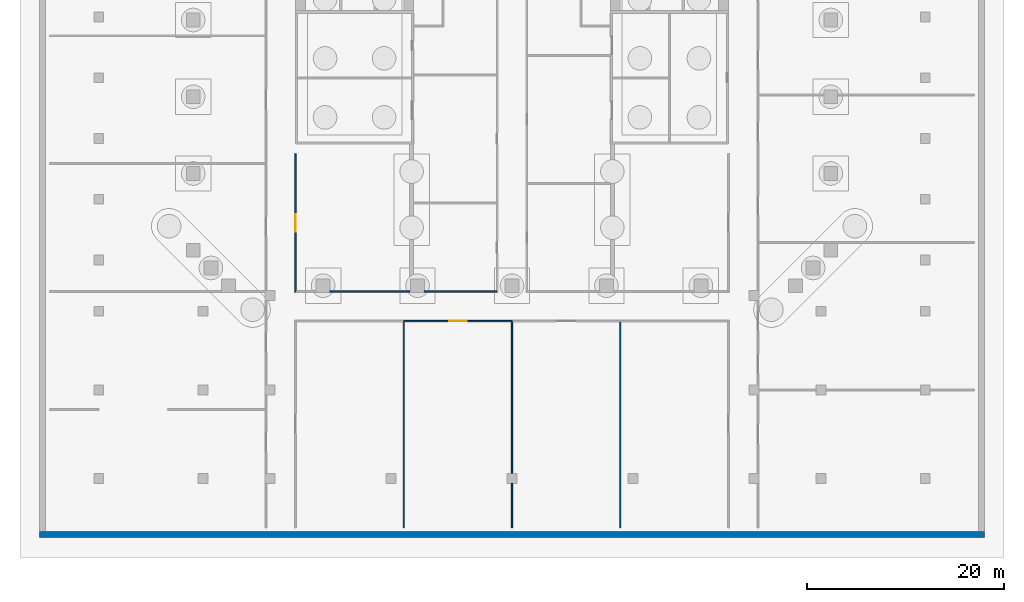
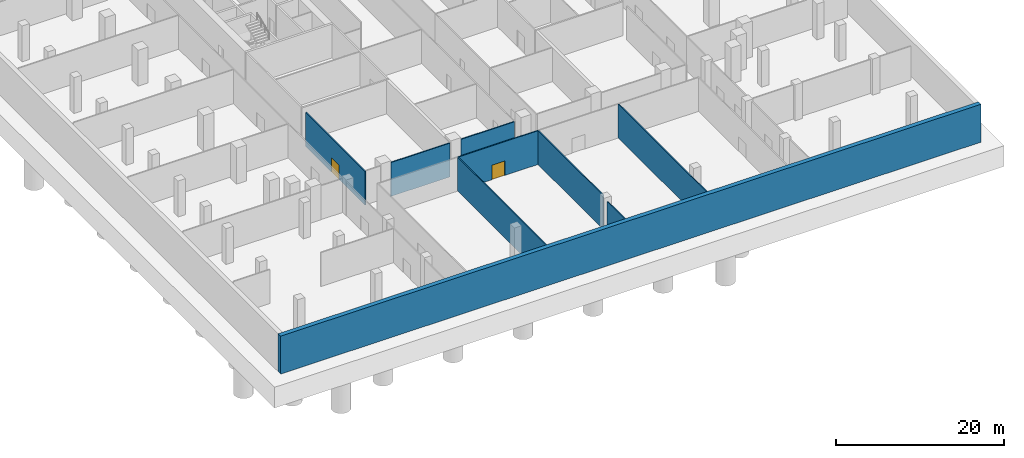
# One storey, part 3 of 14: 9 walls, 2 doors, 2 openings.
"""IFC4 building model written with IfcOpenShell, lengths in metres."""

import ifcopenshell
import ifcopenshell.guid

model = None  # the IFC model being written
_history = None  # IfcOwnerHistory: only IFC2X3 demands one
_inside = {}  # id of a spatial element -> (the spatial element, [elements in it])
_under = {}  # id of a project, library or spatial element -> (it, [spatial elements below it])
_declared = {}  # id of a project -> (the project, [libraries it declares])
_typed = {}  # id of a type object -> (the type object, [elements of that type])
_made_of = {}  # id of a material, layer set ... -> (it, [elements and type objects made of it])


def new_model(schema):
    """Start an empty IFC model of exactly this schema.

    Asked for "IFC4X3", IfcOpenShell would pick the latest addendum, in which some entities
    have other attributes; the version numbers below select the first issue.
    IFC2X3 requires an IfcOwnerHistory on every rooted entity: one is made here for all.
    """
    global model, _history
    if schema == "IFC4X3":
        model = ifcopenshell.file(schema_version=(4, 3, 0, 0))
    else:
        model = ifcopenshell.file(schema=schema)
    _inside.clear()
    _under.clear()
    _declared.clear()
    _typed.clear()
    _made_of.clear()
    _history = None
    if model.schema == "IFC2X3":
        org = make("IfcOrganization", Name="unknown")
        user = make(
            "IfcPersonAndOrganization",
            ThePerson=make("IfcPerson", FamilyName="unknown"),
            TheOrganization=org,
        )
        app = make(
            "IfcApplication",
            ApplicationDeveloper=org,
            Version="unknown",
            ApplicationFullName="unknown",
            ApplicationIdentifier="unknown",
        )
        _history = make(
            "IfcOwnerHistory",
            OwningUser=user,
            OwningApplication=app,
            ChangeAction="ADDED",
            CreationDate=0,
        )
    return model


def make(cls, **values):
    """One entity of the class cls with the attributes given. An attribute that is None is left unset."""
    return model.create_entity(
        cls, **{name: value for name, value in values.items() if value is not None}
    )


def rooted(cls, **values):
    """An entity with a GlobalId (a new one), such as an element, a storey or a relation."""
    return make(cls, GlobalId=ifcopenshell.guid.new(), OwnerHistory=_history, **values)


def si_unit(unit_type, name, prefix=None):
    """IfcSIUnit, for example si_unit("LENGTHUNIT", "METRE", prefix="MILLI")."""
    return make("IfcSIUnit", UnitType=unit_type, Prefix=prefix, Name=name)


def assignment(units):
    """IfcUnitAssignment: the units of a project."""
    return None if units is None else make("IfcUnitAssignment", Units=units)


def point(xyz):
    """IfcCartesianPoint."""
    return None if xyz is None else make("IfcCartesianPoint", Coordinates=xyz)


def direction(xyz):
    """IfcDirection."""
    return None if xyz is None else make("IfcDirection", DirectionRatios=xyz)


def frame(location, z_axis=None, x_axis=None):
    """IfcAxis2Placement3D, a coordinate frame: its origin and axes. An axis left out is left unset."""
    return make(
        "IfcAxis2Placement3D",
        Location=point(location),
        Axis=direction(z_axis),
        RefDirection=direction(x_axis),
    )


def frame_2d(location, x_axis=None):
    """IfcAxis2Placement2D, a coordinate frame in the plane: its origin and x axis."""
    return make(
        "IfcAxis2Placement2D", Location=point(location), RefDirection=direction(x_axis)
    )


def origin():
    """The frame at (0, 0, 0) with its axes left unset."""
    return frame((0.0, 0.0, 0.0))


def place(relative_to, where):
    """IfcLocalPlacement: puts the frame where relative to a parent placement (None: the world)."""
    return make(
        "IfcLocalPlacement", PlacementRelTo=relative_to, RelativePlacement=where
    )


def context(
    kind, dimensions, precision=None, world=None, true_north=None, identifier=None
):
    """IfcGeometricRepresentationContext, for example the 3D "Model" context."""
    return make(
        "IfcGeometricRepresentationContext",
        ContextIdentifier=identifier,
        ContextType=kind,
        CoordinateSpaceDimension=dimensions,
        Precision=precision,
        WorldCoordinateSystem=world,
        TrueNorth=true_north,
    )


def subcontext(parent, identifier, kind, view, scale=None):
    """IfcGeometricRepresentationSubContext, for example "Body" below "Model"."""
    return make(
        "IfcGeometricRepresentationSubContext",
        ContextIdentifier=identifier,
        ContextType=kind,
        ParentContext=parent,
        TargetScale=scale,
        TargetView=view,
    )


def project(units=None, contexts=None):
    """IfcProject with its units and contexts."""
    return rooted(
        "IfcProject",
        Name="project",
        RepresentationContexts=contexts,
        UnitsInContext=assignment(units),
    )


def spatial(cls, under=None, at=None, **own):
    """A site, building, storey or space (cls), placed at a placement, below another one or the project."""
    s = rooted(cls, ObjectPlacement=at, **own)
    if under is not None:
        _under.setdefault(under.id(), (under, []))[1].append(s)
    return s


def profile(cls, at=None, kind="AREA", **sizes):
    """A parametric profile (cls). Its sizes go by their IFC names, for example OverallWidth=200.0."""
    return make(cls, ProfileType=kind, Position=at, **sizes)


def rectangle(**sizes):
    """IfcRectangleProfileDef."""
    return profile("IfcRectangleProfileDef", **sizes)


def extrude(swept, where, along, depth):
    """IfcExtrudedAreaSolid: the profile swept, set in the frame where, extruded along a direction by depth."""
    return make(
        "IfcExtrudedAreaSolid",
        SweptArea=swept,
        Position=where,
        ExtrudedDirection=direction(along),
        Depth=depth,
    )


def shape(context_of_items, identifier, shape_type, items):
    """IfcShapeRepresentation: the items that make up one representation, for example the "Body"."""
    return make(
        "IfcShapeRepresentation",
        ContextOfItems=context_of_items,
        RepresentationIdentifier=identifier,
        RepresentationType=shape_type,
        Items=items,
    )


def material(Name=None, Category=None):
    """IfcMaterial."""
    return make("IfcMaterial", Name=Name, Category=Category)


def layer(
    of_material, thickness, ventilated=None, Name=None, Category=None, Priority=None
):
    """IfcMaterialLayer: one layer of a wall or slab, of a material (None: an air gap)."""
    return make(
        "IfcMaterialLayer",
        Material=of_material,
        LayerThickness=thickness,
        IsVentilated=ventilated,
        Name=Name,
        Category=Category,
        Priority=Priority,
    )


def layer_set(layers, Name=None):
    """IfcMaterialLayerSet."""
    return make("IfcMaterialLayerSet", MaterialLayers=layers, LayerSetName=Name)


def made_of(thing, what):
    """Note that an element or type object is made of a material, layer set ...; save() writes the relation."""
    if what is not None:
        _made_of.setdefault(what.id(), (what, []))[1].append(thing)
    return thing


def type_object(cls, material=None, **own):
    """A type object (cls), such as IfcWallType, which elements share."""
    return made_of(rooted(cls, **own), material)


def element(
    cls,
    number,
    at=None,
    inside=None,
    cuts=None,
    type_object=None,
    material=None,
    context=None,
    identifier="Body",
    shape_type=None,
    held_by="IfcProductDefinitionShape",
    body=None,
    shapes=None,
    **own,
):
    """One element of the class cls, such as IfcWall. Its Tag is "e" and its number.

    at: its placement. inside: the storey or other place that contains it. cuts: it is an
    opening in that element (IfcRelVoidsElement). A single representation is given by context,
    identifier, shape_type and body (its items); several are given by shapes. held_by: the class
    of the entity that holds the representations. save() writes the other relations.
    """
    e = rooted(cls, Tag="e%d" % number, ObjectPlacement=at, **own)
    if body is not None:
        shapes = [shape(context, identifier, shape_type, body)]
    if shapes is not None:
        e.Representation = make(held_by, Representations=shapes)
    if inside is not None:
        _inside.setdefault(inside.id(), (inside, []))[1].append(e)
    if cuts is not None:
        rooted(
            "IfcRelVoidsElement", RelatingBuildingElement=cuts, RelatedOpeningElement=e
        )
    if type_object is not None:
        _typed.setdefault(type_object.id(), (type_object, []))[1].append(e)
    return made_of(e, material)


def fill(opening, filler):
    """IfcRelFillsElement: the door or window that sits in an opening."""
    return rooted(
        "IfcRelFillsElement",
        RelatingOpeningElement=opening,
        RelatedBuildingElement=filler,
    )


def aggregate(whole, parts):
    """IfcRelAggregates: a whole, such as a stair, and the parts it consists of."""
    return rooted("IfcRelAggregates", RelatingObject=whole, RelatedObjects=parts)


def save(model, path):
    """Write the relations noted so far, then the file.

    IfcRelAggregates (storeys below a building ...), IfcRelContainedInSpatialStructure (elements
    in a storey), IfcRelDefinesByType, IfcRelAssociatesMaterial and IfcRelDeclares: one each for
    every whole, place, type object, material and project.
    """
    for whole, parts in _under.values():
        aggregate(whole, parts)
    for where, things in _inside.values():
        rooted(
            "IfcRelContainedInSpatialStructure",
            RelatedElements=things,
            RelatingStructure=where,
        )
    for kind, things in _typed.values():
        rooted("IfcRelDefinesByType", RelatedObjects=things, RelatingType=kind)
    for what, things in _made_of.values():
        rooted("IfcRelAssociatesMaterial", RelatedObjects=things, RelatingMaterial=what)
    for by, libraries in _declared.values():
        rooted("IfcRelDeclares", RelatingContext=by, RelatedDefinitions=libraries)
    model.write(path)


model = new_model("IFC4")

# Units and contexts
model_context = context("Model", 3, precision=1e-05, world=origin(), true_north=direction((0.0, 1.0)))
body_context = subcontext(model_context, "Body", "Model", "MODEL_VIEW")
ifc_project = project(units=[si_unit("LENGTHUNIT", "METRE"), si_unit("AREAUNIT", "SQUARE_METRE"), si_unit("VOLUMEUNIT", "CUBIC_METRE"), si_unit("PLANEANGLEUNIT", "RADIAN"), si_unit("MASSUNIT", "GRAM", prefix="KILO")], contexts=[model_context])

# Site, building, storey
site_placement = place(None, origin())
site = spatial("IfcSite", under=ifc_project, at=site_placement, CompositionType="ELEMENT")
building_placement = place(site_placement, origin())
building = spatial("IfcBuilding", under=site, at=building_placement, Name="Ogive Exchange Tower", CompositionType="ELEMENT")
storey_placement = place(building_placement, frame((0.0, 0.0, -10.39990234375)))
storey = spatial("IfcBuildingStorey", under=building, at=storey_placement, Name="B2", CompositionType="ELEMENT", Elevation=-10.39990234375)

# Wall
ifc_material_1 = material(Name="Concrete C50/60", Category="concrete")
ifc_layer_1 = layer(ifc_material_1, 0.60009765625)
ifc_layer_set_1 = layer_set([ifc_layer_1], Name="Concrete C50/60 retaining wall 600")
wall_type_1 = type_object("IfcWallType", Name="Concrete C50/60 retaining wall 600", PredefinedType="SOLIDWALL", material=ifc_layer_set_1)
wall_1_placement = place(storey_placement, frame((-48.0, -55.699951171875, -0.300048828125), z_axis=(0.0, 0.0, 1.0), x_axis=(1.0, 0.0, 0.0)))
element("IfcWall", 1, at=wall_1_placement, inside=storey, type_object=wall_type_1, Name="Retaining wall S", PredefinedType="SOLIDWALL", context=body_context, shape_type="SweptSolid", body=[
    extrude(rectangle(XDim=96.0, YDim=0.60009765625, at=frame_2d((48.0, 0.0))), origin(), (0.0, 0.0, 1.0), 5.5),
])

# Wall, opening, door
ifc_material_2 = material(Name="Fire partition EI 60 150")
ifc_layer_2 = layer(ifc_material_2, 0.14990234375)
ifc_layer_set_2 = layer_set([ifc_layer_2], Name="Fire partition EI 60 150")
wall_type_2 = type_object("IfcWallType", Name="Fire partition EI 60 150", PredefinedType="PARTITIONING", material=ifc_layer_set_2)
wall_2_placement = place(storey_placement, frame((-11.0, -34.0, 0.0), z_axis=(0.0, 0.0, 1.0), x_axis=(1.0, 0.0, 0.0)))
wall_2 = element("IfcWall", 2, at=wall_2_placement, inside=storey, type_object=wall_type_2, Name="B2-PWL-007", PredefinedType="PARTITIONING", context=body_context, shape_type="SweptSolid", body=[
    extrude(rectangle(XDim=11.0, YDim=0.14990234375, at=frame_2d((5.5, 0.0))), origin(), (0.0, 0.0, 1.0), 4.89990234375),
])
opening_1_placement = place(wall_2_placement, frame((4.60009765625, 0.0, 0.0)))
opening_1 = element("IfcOpeningElement", 3, at=opening_1_placement, cuts=wall_2, Name="Opening B2-I29", PredefinedType="OPENING", context=body_context, shape_type="SweptSolid", body=[
    extrude(rectangle(XDim=1.800048828125, YDim=2.10009765625, at=frame_2d((0.89990234375, 1.050048828125))), frame((0.0, 0.0849609375, 0.0), z_axis=(0.0, -1.0, 0.0), x_axis=(1.0, 0.0, 0.0)), (0.0, 0.0, 1.0), 0.169921875),
])
ifc_material_3 = material(Name="Fire door FD 30S 1800 x 2100")
door_type = type_object("IfcDoorType", Name="Fire door FD 30S 1800 x 2100", OperationType="DOUBLE_DOOR_SINGLE_SWING", PredefinedType="DOOR", material=ifc_material_3)
door_1_placement = place(opening_1_placement, origin())
door_1 = element("IfcDoor", 4, at=door_1_placement, inside=storey, type_object=door_type, Name="B2-IDR-029", ObjectType="DT4", OperationType="SINGLE_SWING_LEFT", OverallHeight=2.10009765625, OverallWidth=1.800048828125, PredefinedType="DOOR", context=body_context, shape_type="SweptSolid", body=[
    extrude(rectangle(XDim=1.800048828125, YDim=2.10009765625, at=frame_2d((0.89990234375, 1.050048828125))), frame((0.0, 0.02490234375, 0.0), z_axis=(0.0, -1.0, 0.0), x_axis=(1.0, 0.0, 0.0)), (0.0, 0.0, 1.0), 0.050048828125),
])
fill(opening_1, door_1)

# Walls
wall_3_placement = place(storey_placement, frame((-18.5, -31.0, 0.0), z_axis=(0.0, 0.0, 1.0), x_axis=(1.0, 0.0, 0.0)))
element("IfcWall", 5, at=wall_3_placement, inside=storey, type_object=wall_type_2, Name="B2-PWL-013", PredefinedType="PARTITIONING", context=body_context, shape_type="SweptSolid", body=[
    extrude(rectangle(XDim=8.10009765625, YDim=0.14990234375, at=frame_2d((4.050048828125, 0.0))), origin(), (0.0, 0.0, 1.0), 4.89990234375),
])
wall_4_placement = place(storey_placement, frame((-8.89990234375, -31.0, 0.0), z_axis=(0.0, 0.0, 1.0), x_axis=(1.0, 0.0, 0.0)))
element("IfcWall", 6, at=wall_4_placement, inside=storey, type_object=wall_type_2, Name="B2-PWL-014", PredefinedType="PARTITIONING", context=body_context, shape_type="SweptSolid", body=[
    extrude(rectangle(XDim=7.324951171875, YDim=0.14990234375, at=frame_2d((3.66259765625, 0.0))), origin(), (0.0, 0.0, 1.0), 4.89990234375),
])

# Wall, opening, door
wall_5_placement = place(storey_placement, frame((-22.0, -31.074951171875, 0.0), z_axis=(0.0, 0.0, 1.0), x_axis=(0.0, 1.0, 0.0)))
wall_5 = element("IfcWall", 7, at=wall_5_placement, inside=storey, type_object=wall_type_2, Name="B2-PWL-048", PredefinedType="PARTITIONING", context=body_context, shape_type="SweptSolid", body=[
    extrude(rectangle(XDim=14.074951171875, YDim=0.14990234375, at=frame_2d((7.03759765625, 0.0))), origin(), (0.0, 0.0, 1.0), 4.89990234375),
])
opening_2_placement = place(wall_5_placement, frame((6.137451171875, 0.0, 0.0)))
opening_2 = element("IfcOpeningElement", 8, at=opening_2_placement, cuts=wall_5, Name="Opening B2-I26", PredefinedType="OPENING", context=body_context, shape_type="SweptSolid", body=[
    extrude(rectangle(XDim=1.800048828125, YDim=2.10009765625, at=frame_2d((0.89990234375, 1.050048828125))), frame((0.0, 0.0849609375, 0.0), z_axis=(0.0, -1.0, 0.0), x_axis=(1.0, 0.0, 0.0)), (0.0, 0.0, 1.0), 0.169921875),
])
door_2_placement = place(opening_2_placement, frame((1.800048828125, 0.0, 0.0), z_axis=(0.0, 0.0, 1.0), x_axis=(-1.0, 0.0, 0.0)))
door_2 = element("IfcDoor", 9, at=door_2_placement, inside=storey, type_object=door_type, Name="B2-IDR-026", ObjectType="DT4", OperationType="SINGLE_SWING_LEFT", OverallHeight=2.10009765625, OverallWidth=1.800048828125, PredefinedType="DOOR", context=body_context, shape_type="SweptSolid", body=[
    extrude(rectangle(XDim=1.800048828125, YDim=2.10009765625, at=frame_2d((0.89990234375, 1.050048828125))), frame((0.0, 0.02490234375, 0.0), z_axis=(0.0, -1.0, 0.0), x_axis=(1.0, 0.0, 0.0)), (0.0, 0.0, 1.0), 0.050048828125),
])
fill(opening_2, door_2)

# Walls
wall_6_placement = place(storey_placement, frame((-11.0, -55.0, 0.0), z_axis=(0.0, 0.0, 1.0), x_axis=(0.0, 1.0, 0.0)))
element("IfcWall", 10, at=wall_6_placement, inside=storey, type_object=wall_type_2, Name="B2-PWL-050", PredefinedType="PARTITIONING", context=body_context, shape_type="SweptSolid", body=[
    extrude(rectangle(XDim=20.925048828125, YDim=0.14990234375, at=frame_2d((10.46240234375, 0.0))), origin(), (0.0, 0.0, 1.0), 4.89990234375),
])
wall_7_placement = place(storey_placement, frame((0.0, -55.0, 0.0), z_axis=(0.0, 0.0, 1.0), x_axis=(0.0, 1.0, 0.0)))
element("IfcWall", 11, at=wall_7_placement, inside=storey, type_object=wall_type_2, Name="B2-PWL-055", PredefinedType="PARTITIONING", context=body_context, shape_type="SweptSolid", body=[
    extrude(rectangle(XDim=4.5, YDim=0.14990234375, at=frame_2d((2.25, 0.0))), origin(), (0.0, 0.0, 1.0), 4.58984375),
])
wall_8_placement = place(storey_placement, frame((0.0, -49.5, 0.0), z_axis=(0.0, 0.0, 1.0), x_axis=(0.0, 1.0, 0.0)))
element("IfcWall", 12, at=wall_8_placement, inside=storey, type_object=wall_type_2, Name="B2-PWL-056", PredefinedType="PARTITIONING", context=body_context, shape_type="SweptSolid", body=[
    extrude(rectangle(XDim=15.425048828125, YDim=0.14990234375, at=frame_2d((7.71240234375, 0.0))), origin(), (0.0, 0.0, 1.0), 4.89990234375),
])
wall_9_placement = place(storey_placement, frame((11.0, -55.0, 0.0), z_axis=(0.0, 0.0, 1.0), x_axis=(0.0, 1.0, 0.0)))
element("IfcWall", 13, at=wall_9_placement, inside=storey, type_object=wall_type_2, Name="B2-PWL-063", PredefinedType="PARTITIONING", context=body_context, shape_type="SweptSolid", body=[
    extrude(rectangle(XDim=20.925048828125, YDim=0.14990234375, at=frame_2d((10.46240234375, 0.0))), origin(), (0.0, 0.0, 1.0), 4.89990234375),
])

save(model, "model.ifc")
